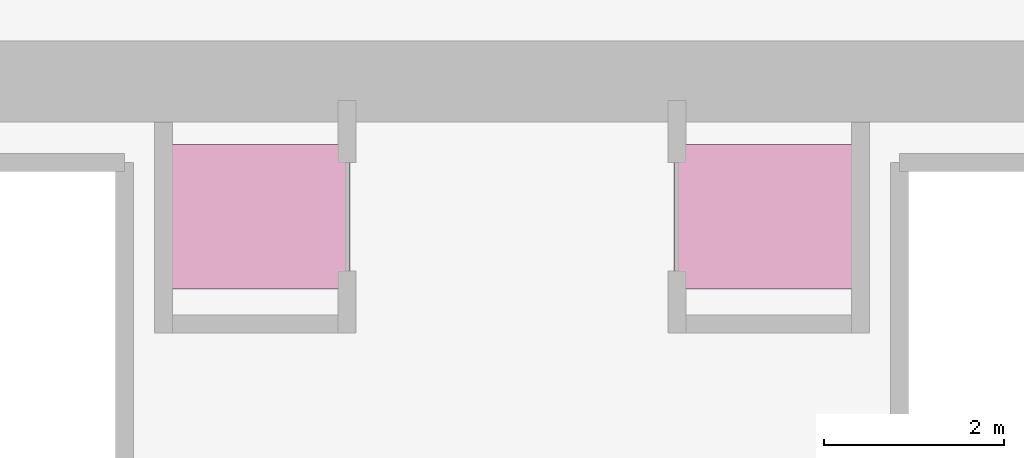
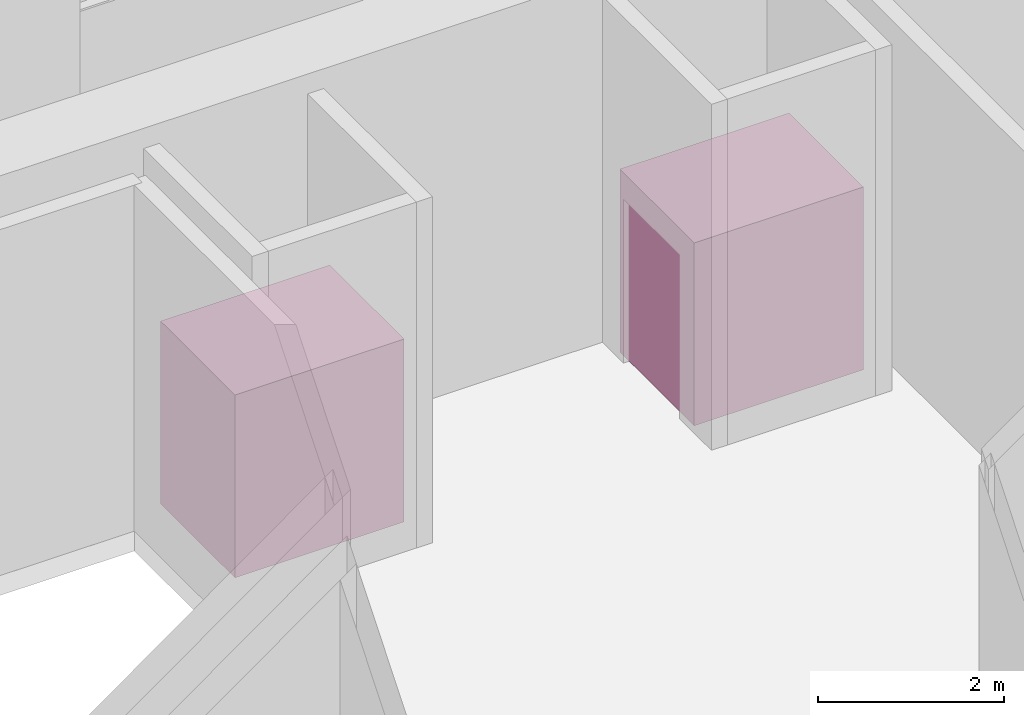
# One storey, part 9 of 9: 2 transport elements.
"""IFC4 building model written with IfcOpenShell, lengths in metres."""

from ifc_helpers import new_model, si_unit, direction, frame, origin, origin_2d, place, context, subcontext, project, spatial, rectangle, extrude, source, transform, mapped, material, type_object, type_shapes, element, save


model = new_model("IFC4")

# Units and contexts
model_context = context("Model", 3, precision=1e-05, world=origin(), true_north=direction((0.0, 1.0)))
body_context = subcontext(model_context, "Body", "Model", "MODEL_VIEW")
ifc_project = project(units=[si_unit("LENGTHUNIT", "METRE"), si_unit("AREAUNIT", "SQUARE_METRE"), si_unit("VOLUMEUNIT", "CUBIC_METRE"), si_unit("PLANEANGLEUNIT", "RADIAN"), si_unit("MASSUNIT", "GRAM", prefix="KILO")], contexts=[model_context])

# Site, building, storey
site_placement = place(None, origin())
site = spatial("IfcSite", under=ifc_project, at=site_placement, CompositionType="ELEMENT")
building_placement = place(site_placement, origin())
building = spatial("IfcBuilding", under=site, at=building_placement, Name="Tolvann Quenvar Hotel", CompositionType="ELEMENT")
storey_placement = place(building_placement, frame((0.0, 0.0, -4.800048828125)))
storey = spatial("IfcBuildingStorey", under=building, at=storey_placement, Name="B01", CompositionType="ELEMENT", Elevation=-4.800048828125)

# Transport elements
ifc_material = material(Name="Brushed 316 stainless steel lift car enclosure", Category="steel")
transport_element_type = type_object("IfcTransportElementType", Name="LIFT_OBS_1800", PredefinedType="ELEVATOR", material=ifc_material)
shared_shape = source(origin(), body_context, "Body", "SweptSolid", [
    extrude(rectangle(XDim=2.10009765625, YDim=1.60009765625, at=origin_2d()), origin(), (0.0, 0.0, 1.0), 2.39990234375),
])
type_shapes(transport_element_type, [shared_shape])
for number, where, z_axis, x_axis, name in (
    (1, (20.14990234375, 43.25, 0.0), (0.0, 0.0, 1.0), (1.0, 0.0, 0.0), "Elevator OB-1 (OB Bank)"),
    (2, (25.85009765625, 43.25, 0.0), (0.0, 0.0, 1.0), (1.0, 0.0, 0.0), "Elevator OB-2 (OB Bank)"),
):
    element("IfcTransportElement", number, at=place(storey_placement, frame(where, z_axis=z_axis, x_axis=x_axis)), inside=storey, type_object=transport_element_type, Name=name, PredefinedType="ELEVATOR", context=body_context, shape_type="MappedRepresentation", body=[
        mapped(shared_shape, transform((0.0, 0.0, 0.0), x_axis=(1.0, 0.0, 0.0), y_axis=(0.0, 1.0, 0.0), z_axis=(0.0, 0.0, 1.0), scale=1.0)),
    ])

save(model, "model.ifc")
